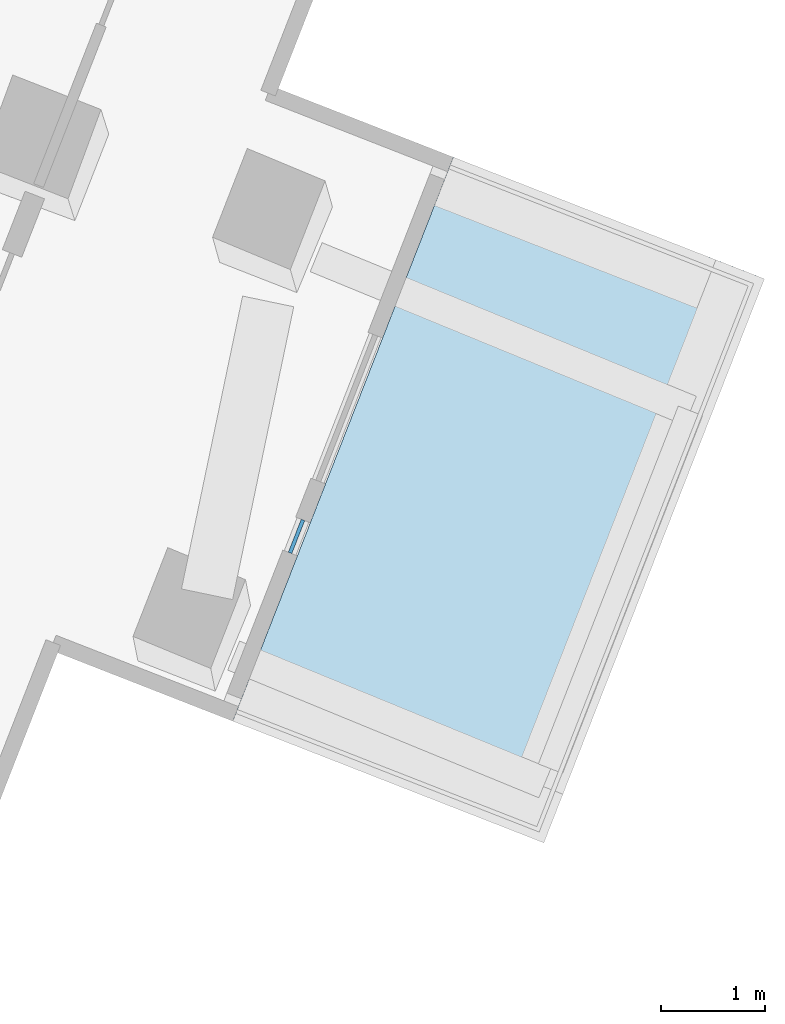
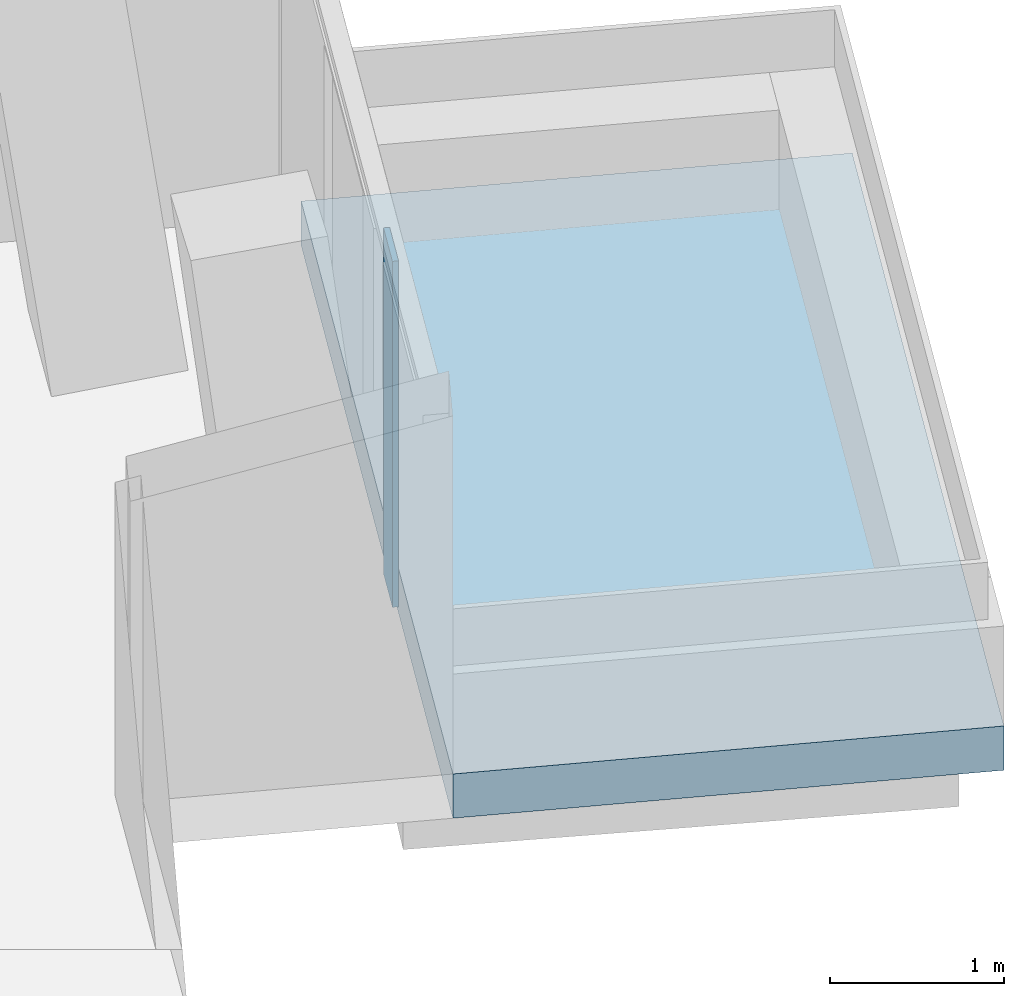
# One storey, part 18 of 28: 1 plate, 1 slab, 1 element without a shape of its own.
"""IFC4 building model written with IfcOpenShell, lengths in metres."""

import ifcopenshell
import ifcopenshell.guid

model = None  # the IFC model being written
_history = None  # IfcOwnerHistory: only IFC2X3 demands one
_inside = {}  # id of a spatial element -> (the spatial element, [elements in it])
_under = {}  # id of a project, library or spatial element -> (it, [spatial elements below it])
_declared = {}  # id of a project -> (the project, [libraries it declares])
_typed = {}  # id of a type object -> (the type object, [elements of that type])
_made_of = {}  # id of a material, layer set ... -> (it, [elements and type objects made of it])


def new_model(schema):
    """Start an empty IFC model of exactly this schema.

    Asked for "IFC4X3", IfcOpenShell would pick the latest addendum, in which some entities
    have other attributes; the version numbers below select the first issue.
    IFC2X3 requires an IfcOwnerHistory on every rooted entity: one is made here for all.
    """
    global model, _history
    if schema == "IFC4X3":
        model = ifcopenshell.file(schema_version=(4, 3, 0, 0))
    else:
        model = ifcopenshell.file(schema=schema)
    _inside.clear()
    _under.clear()
    _declared.clear()
    _typed.clear()
    _made_of.clear()
    _history = None
    if model.schema == "IFC2X3":
        org = make("IfcOrganization", Name="unknown")
        user = make(
            "IfcPersonAndOrganization",
            ThePerson=make("IfcPerson", FamilyName="unknown"),
            TheOrganization=org,
        )
        app = make(
            "IfcApplication",
            ApplicationDeveloper=org,
            Version="unknown",
            ApplicationFullName="unknown",
            ApplicationIdentifier="unknown",
        )
        _history = make(
            "IfcOwnerHistory",
            OwningUser=user,
            OwningApplication=app,
            ChangeAction="ADDED",
            CreationDate=0,
        )
    return model


def make(cls, **values):
    """One entity of the class cls with the attributes given. An attribute that is None is left unset."""
    return model.create_entity(
        cls, **{name: value for name, value in values.items() if value is not None}
    )


def rooted(cls, **values):
    """An entity with a GlobalId (a new one), such as an element, a storey or a relation."""
    return make(cls, GlobalId=ifcopenshell.guid.new(), OwnerHistory=_history, **values)


def si_unit(unit_type, name, prefix=None):
    """IfcSIUnit, for example si_unit("LENGTHUNIT", "METRE", prefix="MILLI")."""
    return make("IfcSIUnit", UnitType=unit_type, Prefix=prefix, Name=name)


def assignment(units):
    """IfcUnitAssignment: the units of a project."""
    return None if units is None else make("IfcUnitAssignment", Units=units)


def point(xyz):
    """IfcCartesianPoint."""
    return None if xyz is None else make("IfcCartesianPoint", Coordinates=xyz)


def direction(xyz):
    """IfcDirection."""
    return None if xyz is None else make("IfcDirection", DirectionRatios=xyz)


def frame(location, z_axis=None, x_axis=None):
    """IfcAxis2Placement3D, a coordinate frame: its origin and axes. An axis left out is left unset."""
    return make(
        "IfcAxis2Placement3D",
        Location=point(location),
        Axis=direction(z_axis),
        RefDirection=direction(x_axis),
    )


def frame_2d(location, x_axis=None):
    """IfcAxis2Placement2D, a coordinate frame in the plane: its origin and x axis."""
    return make(
        "IfcAxis2Placement2D", Location=point(location), RefDirection=direction(x_axis)
    )


def origin():
    """The frame at (0, 0, 0) with its axes left unset."""
    return frame((0.0, 0.0, 0.0))


def origin_2d():
    """The frame at (0, 0) in the plane with its x axis left unset."""
    return frame_2d((0.0, 0.0))


def place(relative_to, where):
    """IfcLocalPlacement: puts the frame where relative to a parent placement (None: the world)."""
    return make(
        "IfcLocalPlacement", PlacementRelTo=relative_to, RelativePlacement=where
    )


def context(
    kind, dimensions, precision=None, world=None, true_north=None, identifier=None
):
    """IfcGeometricRepresentationContext, for example the 3D "Model" context."""
    return make(
        "IfcGeometricRepresentationContext",
        ContextIdentifier=identifier,
        ContextType=kind,
        CoordinateSpaceDimension=dimensions,
        Precision=precision,
        WorldCoordinateSystem=world,
        TrueNorth=true_north,
    )


def subcontext(parent, identifier, kind, view, scale=None):
    """IfcGeometricRepresentationSubContext, for example "Body" below "Model"."""
    return make(
        "IfcGeometricRepresentationSubContext",
        ContextIdentifier=identifier,
        ContextType=kind,
        ParentContext=parent,
        TargetScale=scale,
        TargetView=view,
    )


def project(units=None, contexts=None):
    """IfcProject with its units and contexts."""
    return rooted(
        "IfcProject",
        Name="project",
        RepresentationContexts=contexts,
        UnitsInContext=assignment(units),
    )


def spatial(cls, under=None, at=None, **own):
    """A site, building, storey or space (cls), placed at a placement, below another one or the project."""
    s = rooted(cls, ObjectPlacement=at, **own)
    if under is not None:
        _under.setdefault(under.id(), (under, []))[1].append(s)
    return s


def polyline(points):
    """IfcPolyline through the points."""
    return make("IfcPolyline", Points=[point(p) for p in points])


def profile(cls, at=None, kind="AREA", **sizes):
    """A parametric profile (cls). Its sizes go by their IFC names, for example OverallWidth=200.0."""
    return make(cls, ProfileType=kind, Position=at, **sizes)


def rectangle(**sizes):
    """IfcRectangleProfileDef."""
    return profile("IfcRectangleProfileDef", **sizes)


def outline(outer, holes=None, kind="AREA"):
    """IfcArbitraryClosedProfileDef: a profile drawn as a closed curve; with holes, ...WithVoids."""
    if holes is None:
        return make("IfcArbitraryClosedProfileDef", ProfileType=kind, OuterCurve=outer)
    return make(
        "IfcArbitraryProfileDefWithVoids",
        ProfileType=kind,
        OuterCurve=outer,
        InnerCurves=holes,
    )


def extrude(swept, where, along, depth):
    """IfcExtrudedAreaSolid: the profile swept, set in the frame where, extruded along a direction by depth."""
    return make(
        "IfcExtrudedAreaSolid",
        SweptArea=swept,
        Position=where,
        ExtrudedDirection=direction(along),
        Depth=depth,
    )


def shape(context_of_items, identifier, shape_type, items):
    """IfcShapeRepresentation: the items that make up one representation, for example the "Body"."""
    return make(
        "IfcShapeRepresentation",
        ContextOfItems=context_of_items,
        RepresentationIdentifier=identifier,
        RepresentationType=shape_type,
        Items=items,
    )


def material(Name=None, Category=None):
    """IfcMaterial."""
    return make("IfcMaterial", Name=Name, Category=Category)


def layer(
    of_material, thickness, ventilated=None, Name=None, Category=None, Priority=None
):
    """IfcMaterialLayer: one layer of a wall or slab, of a material (None: an air gap)."""
    return make(
        "IfcMaterialLayer",
        Material=of_material,
        LayerThickness=thickness,
        IsVentilated=ventilated,
        Name=Name,
        Category=Category,
        Priority=Priority,
    )


def layer_set(layers, Name=None):
    """IfcMaterialLayerSet."""
    return make("IfcMaterialLayerSet", MaterialLayers=layers, LayerSetName=Name)


def made_of(thing, what):
    """Note that an element or type object is made of a material, layer set ...; save() writes the relation."""
    if what is not None:
        _made_of.setdefault(what.id(), (what, []))[1].append(thing)
    return thing


def type_object(cls, material=None, **own):
    """A type object (cls), such as IfcWallType, which elements share."""
    return made_of(rooted(cls, **own), material)


def element(
    cls,
    number,
    at=None,
    inside=None,
    cuts=None,
    type_object=None,
    material=None,
    context=None,
    identifier="Body",
    shape_type=None,
    held_by="IfcProductDefinitionShape",
    body=None,
    shapes=None,
    **own,
):
    """One element of the class cls, such as IfcWall. Its Tag is "e" and its number.

    at: its placement. inside: the storey or other place that contains it. cuts: it is an
    opening in that element (IfcRelVoidsElement). A single representation is given by context,
    identifier, shape_type and body (its items); several are given by shapes. held_by: the class
    of the entity that holds the representations. save() writes the other relations.
    """
    e = rooted(cls, Tag="e%d" % number, ObjectPlacement=at, **own)
    if body is not None:
        shapes = [shape(context, identifier, shape_type, body)]
    if shapes is not None:
        e.Representation = make(held_by, Representations=shapes)
    if inside is not None:
        _inside.setdefault(inside.id(), (inside, []))[1].append(e)
    if cuts is not None:
        rooted(
            "IfcRelVoidsElement", RelatingBuildingElement=cuts, RelatedOpeningElement=e
        )
    if type_object is not None:
        _typed.setdefault(type_object.id(), (type_object, []))[1].append(e)
    return made_of(e, material)


def aggregate(whole, parts):
    """IfcRelAggregates: a whole, such as a stair, and the parts it consists of."""
    return rooted("IfcRelAggregates", RelatingObject=whole, RelatedObjects=parts)


def save(model, path):
    """Write the relations noted so far, then the file.

    IfcRelAggregates (storeys below a building ...), IfcRelContainedInSpatialStructure (elements
    in a storey), IfcRelDefinesByType, IfcRelAssociatesMaterial and IfcRelDeclares: one each for
    every whole, place, type object, material and project.
    """
    for whole, parts in _under.values():
        aggregate(whole, parts)
    for where, things in _inside.values():
        rooted(
            "IfcRelContainedInSpatialStructure",
            RelatedElements=things,
            RelatingStructure=where,
        )
    for kind, things in _typed.values():
        rooted("IfcRelDefinesByType", RelatedObjects=things, RelatingType=kind)
    for what, things in _made_of.values():
        rooted("IfcRelAssociatesMaterial", RelatedObjects=things, RelatingMaterial=what)
    for by, libraries in _declared.values():
        rooted("IfcRelDeclares", RelatingContext=by, RelatedDefinitions=libraries)
    model.write(path)


model = new_model("IFC4")

# Units and contexts
model_context = context("Model", 3, precision=1e-05, world=origin(), true_north=direction((0.0, 1.0)))
body_context = subcontext(model_context, "Body", "Model", "MODEL_VIEW")
ifc_project = project(units=[si_unit("LENGTHUNIT", "METRE"), si_unit("AREAUNIT", "SQUARE_METRE"), si_unit("VOLUMEUNIT", "CUBIC_METRE"), si_unit("PLANEANGLEUNIT", "RADIAN"), si_unit("MASSUNIT", "GRAM", prefix="KILO")], contexts=[model_context])

# Site, building, storey
site_placement = place(None, origin())
site = spatial("IfcSite", under=ifc_project, at=site_placement, CompositionType="ELEMENT")
building_placement = place(site_placement, origin())
building = spatial("IfcBuilding", under=site, at=building_placement, Name="Verdalira Terraces Hotel", CompositionType="ELEMENT")
storey_placement = place(building_placement, frame((0.0, 0.0, 68.0)))
storey = spatial("IfcBuildingStorey", under=building, at=storey_placement, Name="L15", CompositionType="ELEMENT", Elevation=68.0)

# Slab
ifc_material_1 = material(Name="Precast concrete C40/50", Category="concrete")
ifc_layer_1 = layer(ifc_material_1, 0.31005859375)
ifc_layer_set_1 = layer_set([ifc_layer_1], Name="Balcony deck 310")
slab_type = type_object("IfcSlabType", Name="Balcony deck 310", PredefinedType="FLOOR", material=ifc_layer_set_1)
slab_placement = place(storey_placement, frame((0.0, 0.0, -0.310059)))
element("IfcSlab", 1, at=slab_placement, inside=storey, type_object=slab_type, Name="Balcony deck", PredefinedType="FLOOR", context=body_context, shape_type="SweptSolid", body=[
    extrude(outline(polyline([(38.584473, -11.976074), (35.604248, -10.810547), (33.491699, -16.212158), (36.471924, -17.377686), (38.584473, -11.976074)])), origin(), (0.0, 0.0, 1.0), 0.310059),
])

# Curtain wall, plate
ifc_material_2 = material(Name="Clear glass", Category="glass")
ifc_layer_2 = layer(ifc_material_2, 0.14990234375)
ifc_layer_set_2 = layer_set([ifc_layer_2], Name="CW3 curtain wall")
curtain_wall_type = type_object("IfcCurtainWallType", Name="CW3 curtain wall", PredefinedType="NOTDEFINED", material=ifc_layer_set_2)
curtain_wall_placement = place(storey_placement, origin())
curtain_wall = element("IfcCurtainWall", 2, at=curtain_wall_placement, inside=storey, type_object=curtain_wall_type, Name="CW3 curtain wall L15 edge 33", PredefinedType="NOTDEFINED")
ifc_material_3 = material(Name="Clear glass", Category="glass")
ifc_layer_3 = layer(ifc_material_3, 0.035888671875)
ifc_layer_set_3 = layer_set([ifc_layer_3], Name="CW3 glass unit 36")
plate_type = type_object("IfcPlateType", Name="CW3 glass unit 36", PredefinedType="CURTAIN_PANEL", material=ifc_layer_set_3)
plate_placement = place(storey_placement, frame((34.103027, -14.443115, 0.0), z_axis=(0.0, 0.0, 1.0), x_axis=(0.364226696, 0.931310321, 0.0)))
plate = element("IfcPlate", 3, at=plate_placement, type_object=plate_type, Name="CW3 glass unit", PredefinedType="CURTAIN_PANEL", context=body_context, shape_type="SweptSolid", body=[
    extrude(rectangle(XDim=0.3396, YDim=0.035889, at=origin_2d()), origin(), (0.0, 0.0, 1.0), 2.425049),
])
aggregate(curtain_wall, [plate])

save(model, "model.ifc")
